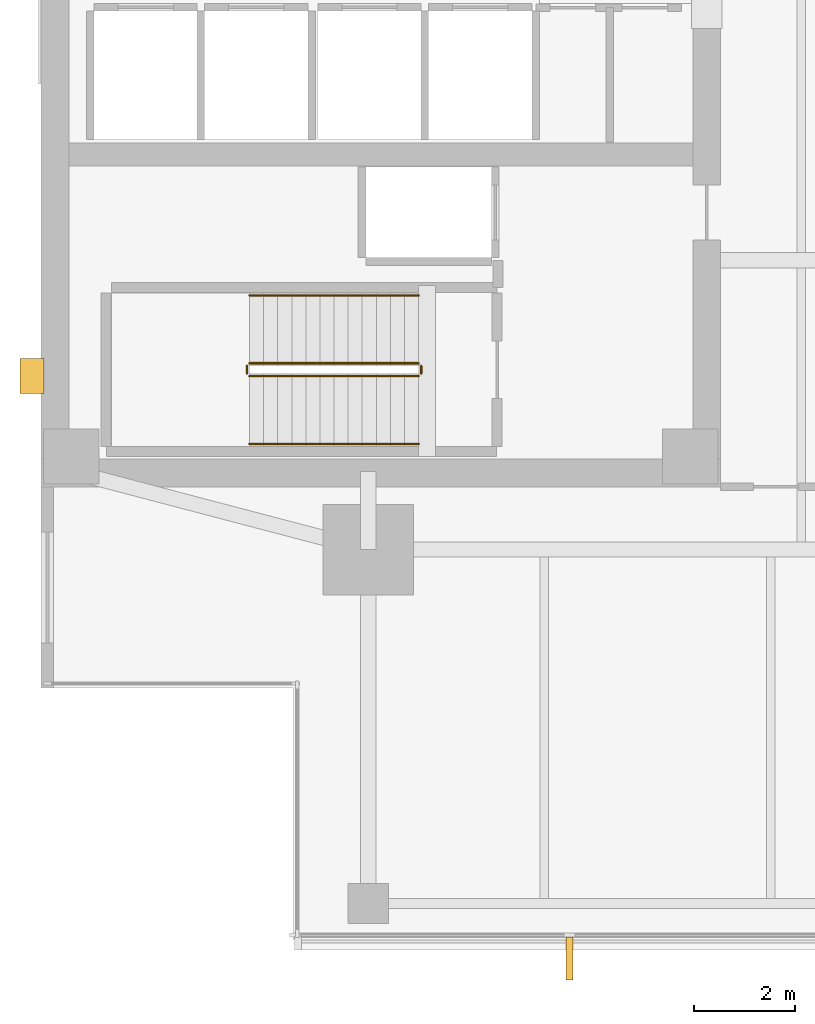
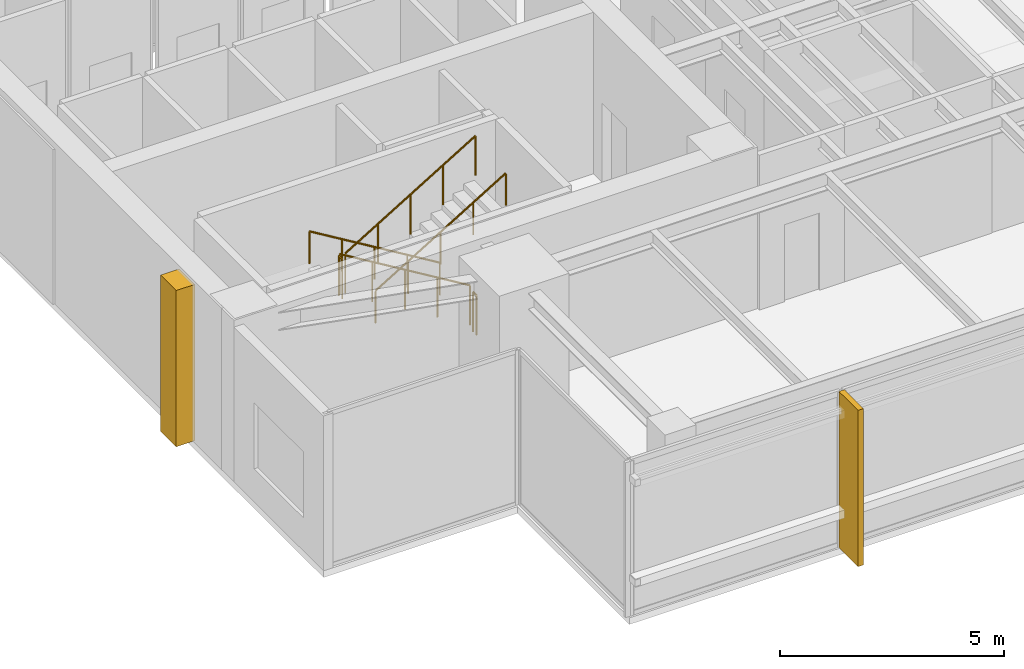
# One storey, part 11 of 14: 6 railings, 2 coverings.
"""IFC4 building model written with IfcOpenShell, lengths in metres."""

from ifc_helpers import new_model, si_unit, direction, frame, origin, origin_2d, place, context, subcontext, project, spatial, polyline, circle, outline, extrude, material, layer, layer_set, type_object, element, save


model = new_model("IFC4")

# Units and contexts
model_context = context("Model", 3, precision=1e-05, world=origin(), true_north=direction((0.0, 1.0)))
body_context = subcontext(model_context, "Body", "Model", "MODEL_VIEW")
ifc_project = project(units=[si_unit("LENGTHUNIT", "METRE"), si_unit("AREAUNIT", "SQUARE_METRE"), si_unit("VOLUMEUNIT", "CUBIC_METRE"), si_unit("PLANEANGLEUNIT", "RADIAN"), si_unit("MASSUNIT", "GRAM", prefix="KILO")], contexts=[model_context])

# Site, building, storey
site_placement = place(None, origin())
site = spatial("IfcSite", under=ifc_project, at=site_placement, CompositionType="ELEMENT")
building_placement = place(site_placement, origin())
building = spatial("IfcBuilding", under=site, at=building_placement, Name="Kinhvarn Gate Tower", CompositionType="ELEMENT")
storey_placement = place(building_placement, frame((0.0, 0.0, 183.64990234375)))
storey = spatial("IfcBuildingStorey", under=building, at=storey_placement, Name="L48", CompositionType="ELEMENT", Elevation=183.64990234375)

# Coverings
ifc_material_1 = material(Name="Fired architectural terracotta", Category="masonry")
ifc_layer_1 = layer(ifc_material_1, 0.139892578125)
ifc_layer_set_1 = layer_set([ifc_layer_1], Name="Fired architectural terracotta")
covering_type_1 = type_object("IfcCoveringType", Name="COV-FIN-850", PredefinedType="CLADDING", material=ifc_layer_set_1)
covering_1_placement = place(storey_placement, frame((0.0, 0.0, -0.02001953125)))
element("IfcCovering", 1, at=covering_1_placement, inside=storey, type_object=covering_type_1, Name="Vertical Terracotta Expressive Fin TFN-850 (L48)", PredefinedType="CLADDING", context=body_context, shape_type="SweptSolid", body=[
    extrude(outline(polyline([(14.929931640625, 5.050048828125), (15.070068359375, 5.050048828125), (15.070068359375, 4.199951171875), (14.929931640625, 4.199951171875), (14.929931640625, 5.050048828125)])), origin(), (0.0, 0.0, 1.0), 4.260009765625),
])
ifc_material_2 = material(Name="Precast white architectural concrete C40/50", Category="concrete")
ifc_layer_2 = layer(ifc_material_2, 0.47998046875)
ifc_layer_set_2 = layer_set([ifc_layer_2], Name="Precast white architectural concrete C40/50")
covering_type_2 = type_object("IfcCoveringType", Name="COV-RIB-450", PredefinedType="CLADDING", material=ifc_layer_set_2)
covering_2_placement = place(storey_placement, frame((0.0, 0.0, -0.02001953125)))
element("IfcCovering", 2, at=covering_2_placement, inside=storey, type_object=covering_type_2, Name="West Core Sculptural Concrete Relief Rib CRB-450 (L48)", PredefinedType="CLADDING", context=body_context, shape_type="SweptSolid", body=[
    extrude(outline(polyline([(4.080078125, 15.85009765625), (4.56005859375, 15.85009765625), (4.56005859375, 16.550048828125), (4.080078125, 16.550048828125), (4.080078125, 15.85009765625)])), origin(), (0.0, 0.0, 1.0), 4.260009765625),
])

# Railings
ifc_material_3 = material(Name="Steel S355", Category="steel")
railing_type_1 = type_object("IfcRailingType", Name="RL-ST-GRD", PredefinedType="BALUSTRADE", material=ifc_material_3)
railing_1_placement = place(storey_placement, frame((12.0, 16.449951171875, 0.16943359375)))
element("IfcRailing", 3, at=railing_1_placement, inside=storey, type_object=railing_type_1, Name="L48 ST1 stair guard 1", PredefinedType="BALUSTRADE", context=body_context, shape_type="SweptSolid", body=[
    extrude(circle(Radius=0.02392578125, at=origin_2d()), frame((0.0, 0.0, 1.076171875), z_axis=(-0.855836976705, 0.0, 0.517245656632), x_axis=(0.0, -1.0, 0.0)), (0.0, 0.0, 1.0), 3.926025390625),
    extrude(circle(Radius=0.02099609375, at=origin_2d()), origin(), (0.0, 0.0, 1.0), 1.052001953125),
    extrude(circle(Radius=0.02099609375, at=origin_2d()), frame((-0.840087890625, 0.0, 0.5078125)), (0.0, 0.0, 1.0), 1.052001953125),
    extrude(circle(Radius=0.02099609375, at=origin_2d()), frame((-1.68017578125, 0.0, 1.015380859375)), (0.0, 0.0, 1.0), 1.052001953125),
    extrude(circle(Radius=0.02099609375, at=origin_2d()), frame((-2.52001953125, 0.0, 1.52294921875)), (0.0, 0.0, 1.0), 1.052001953125),
    extrude(circle(Radius=0.02099609375, at=origin_2d()), frame((-3.360107421875, 0.0, 2.03076171875)), (0.0, 0.0, 1.0), 1.052001953125),
])
railing_2_placement = place(storey_placement, frame((8.590087890625, 16.39990234375, 2.2001953125)))
element("IfcRailing", 4, at=railing_2_placement, inside=storey, type_object=railing_type_1, Name="L48 ST1 stair guard 2", PredefinedType="BALUSTRADE", context=body_context, shape_type="SweptSolid", body=[
    extrude(circle(Radius=0.02392578125, at=origin_2d()), frame((0.0, 0.0, 1.076171875), z_axis=(0.0, -1.0, 0.0), x_axis=(1.0, 0.0, 0.0)), (0.0, 0.0, 1.0), 0.14990234375),
    extrude(circle(Radius=0.02099609375, at=origin_2d()), origin(), (0.0, 0.0, 1.0), 1.052001953125),
    extrude(circle(Radius=0.02099609375, at=origin_2d()), frame((0.0, -0.14990234375, 0.0)), (0.0, 0.0, 1.0), 1.052001953125),
])
railing_3_placement = place(storey_placement, frame((8.639892578125, 16.199951171875, 2.369384765625)))
element("IfcRailing", 5, at=railing_3_placement, inside=storey, type_object=railing_type_1, Name="L48 ST1 stair guard 3", PredefinedType="BALUSTRADE", context=body_context, shape_type="SweptSolid", body=[
    extrude(circle(Radius=0.02392578125, at=origin_2d()), frame((0.0, 0.0, 1.076171875), z_axis=(0.855836976705, 0.0, 0.517245656632), x_axis=(0.0, 1.0, 0.0)), (0.0, 0.0, 1.0), 3.926025390625),
    extrude(circle(Radius=0.02099609375, at=origin_2d()), origin(), (0.0, 0.0, 1.0), 1.052001953125),
    extrude(circle(Radius=0.02099609375, at=origin_2d()), frame((0.840087890625, 0.0, 0.5078125)), (0.0, 0.0, 1.0), 1.052001953125),
    extrude(circle(Radius=0.02099609375, at=origin_2d()), frame((1.68017578125, 0.0, 1.015380859375)), (0.0, 0.0, 1.0), 1.052001953125),
    extrude(circle(Radius=0.02099609375, at=origin_2d()), frame((2.52001953125, 0.0, 1.52294921875)), (0.0, 0.0, 1.0), 1.052001953125),
    extrude(circle(Radius=0.02099609375, at=origin_2d()), frame((3.360107421875, 0.0, 2.03076171875)), (0.0, 0.0, 1.0), 1.052001953125),
])
railing_4_placement = place(storey_placement, frame((12.050048828125, 16.39990234375, 0.0)))
element("IfcRailing", 6, at=railing_4_placement, inside=storey, type_object=railing_type_1, Name="L48 ST1 stair guard 4", PredefinedType="BALUSTRADE", context=body_context, shape_type="SweptSolid", body=[
    extrude(circle(Radius=0.02392578125, at=origin_2d()), frame((0.0, 0.0, 1.076171875), z_axis=(0.0, -1.0, 0.0), x_axis=(1.0, 0.0, 0.0)), (0.0, 0.0, 1.0), 0.14990234375),
    extrude(circle(Radius=0.02099609375, at=origin_2d()), origin(), (0.0, 0.0, 1.0), 1.052001953125),
    extrude(circle(Radius=0.02099609375, at=origin_2d()), frame((0.0, -0.14990234375, 0.0)), (0.0, 0.0, 1.0), 1.052001953125),
])
railing_type_2 = type_object("IfcRailingType", Name="RL-ST-HND", PredefinedType="HANDRAIL", material=ifc_material_3)
railing_5_placement = place(storey_placement, frame((12.0, 17.800048828125, 0.16943359375)))
element("IfcRailing", 7, at=railing_5_placement, inside=storey, type_object=railing_type_2, Name="L48 ST1 stair handrail 1", PredefinedType="HANDRAIL", context=body_context, shape_type="SweptSolid", body=[
    extrude(circle(Radius=0.02392578125, at=origin_2d()), frame((0.0, 0.0, 0.8759765625), z_axis=(-0.855836976705, 0.0, 0.517245656632), x_axis=(0.0, -1.0, 0.0)), (0.0, 0.0, 1.0), 3.926025390625),
    extrude(circle(Radius=0.02099609375, at=origin_2d()), origin(), (0.0, 0.0, 1.0), 0.851806640625),
    extrude(circle(Radius=0.02099609375, at=origin_2d()), frame((-0.840087890625, 0.0, 0.5078125)), (0.0, 0.0, 1.0), 0.851806640625),
    extrude(circle(Radius=0.02099609375, at=origin_2d()), frame((-1.68017578125, 0.0, 1.015380859375)), (0.0, 0.0, 1.0), 0.851806640625),
    extrude(circle(Radius=0.02099609375, at=origin_2d()), frame((-2.52001953125, 0.0, 1.52294921875)), (0.0, 0.0, 1.0), 0.851806640625),
    extrude(circle(Radius=0.02099609375, at=origin_2d()), frame((-3.360107421875, 0.0, 2.03076171875)), (0.0, 0.0, 1.0), 0.851806640625),
])
railing_6_placement = place(storey_placement, frame((8.639892578125, 14.85009765625, 2.369384765625)))
element("IfcRailing", 8, at=railing_6_placement, inside=storey, type_object=railing_type_2, Name="L48 ST1 stair handrail 2", PredefinedType="HANDRAIL", context=body_context, shape_type="SweptSolid", body=[
    extrude(circle(Radius=0.02392578125, at=origin_2d()), frame((0.0, 0.0, 0.8759765625), z_axis=(0.855836976705, 0.0, 0.517245656632), x_axis=(0.0, 1.0, 0.0)), (0.0, 0.0, 1.0), 3.926025390625),
    extrude(circle(Radius=0.02099609375, at=origin_2d()), origin(), (0.0, 0.0, 1.0), 0.851806640625),
    extrude(circle(Radius=0.02099609375, at=origin_2d()), frame((0.840087890625, 0.0, 0.5078125)), (0.0, 0.0, 1.0), 0.851806640625),
    extrude(circle(Radius=0.02099609375, at=origin_2d()), frame((1.68017578125, 0.0, 1.015380859375)), (0.0, 0.0, 1.0), 0.851806640625),
    extrude(circle(Radius=0.02099609375, at=origin_2d()), frame((2.52001953125, 0.0, 1.52294921875)), (0.0, 0.0, 1.0), 0.851806640625),
    extrude(circle(Radius=0.02099609375, at=origin_2d()), frame((3.360107421875, 0.0, 2.03076171875)), (0.0, 0.0, 1.0), 0.851806640625),
])

save(model, "model.ifc")
